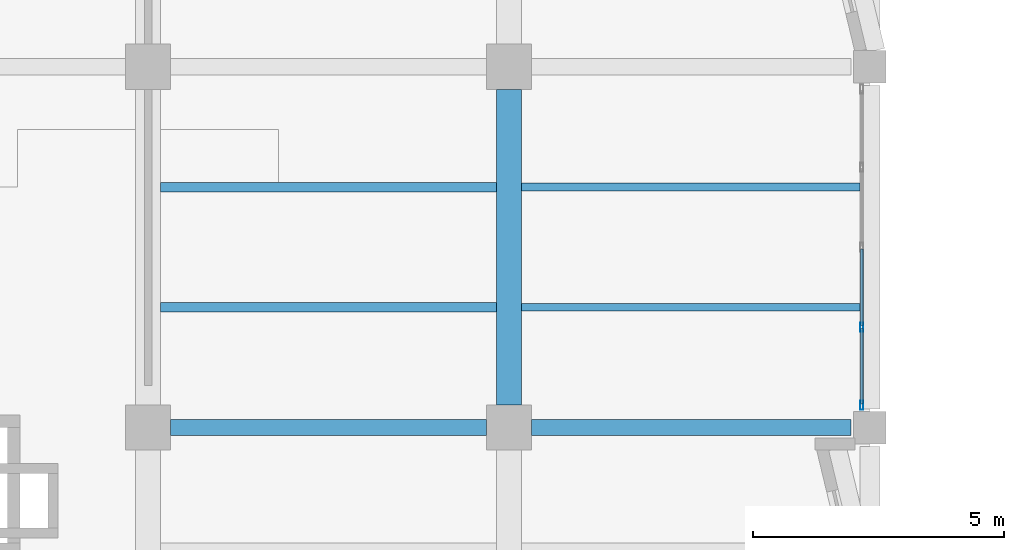
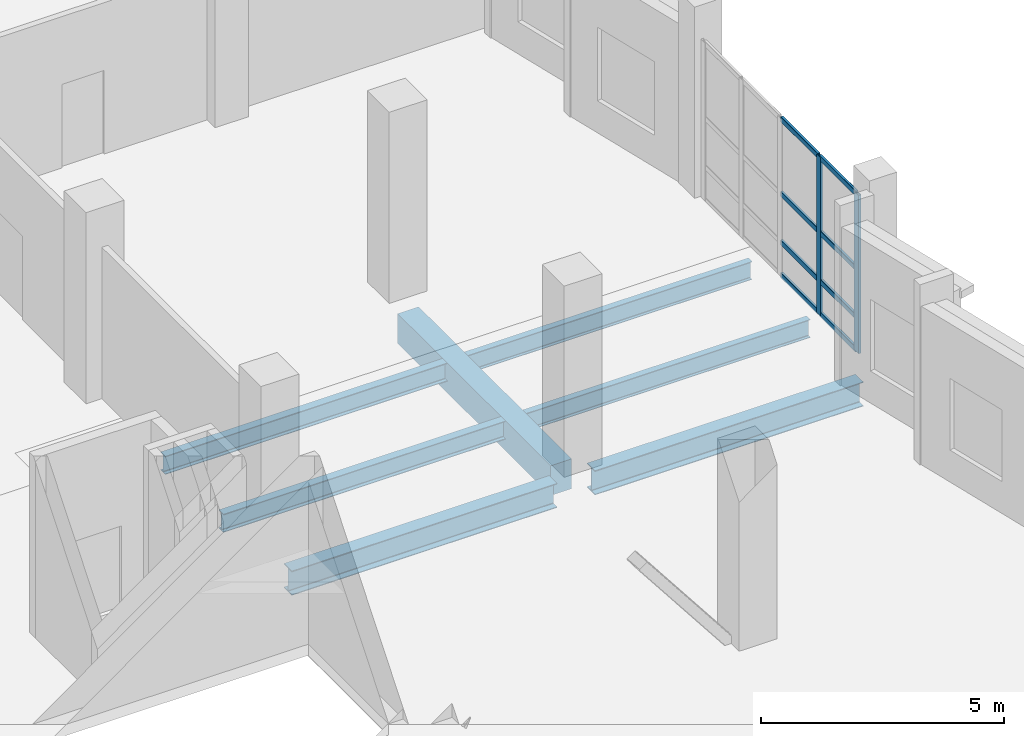
# One storey, part 19 of 127: 10 members, 7 beams, 1 element without a shape of its own.
"""IFC4 building model written with IfcOpenShell, lengths in metres."""

from ifc_helpers import new_model, si_unit, direction, frame, origin, origin_2d, place, context, subcontext, project, spatial, rectangle, hollow_rectangle, i_section, extrude, material, material_profile, profile_set, type_object, element, aggregate, save


model = new_model("IFC4")

# Units and contexts
model_context = context("Model", 3, precision=1e-05, world=origin(), true_north=direction((0.0, 1.0)))
body_context = subcontext(model_context, "Body", "Model", "MODEL_VIEW")
ifc_project = project(units=[si_unit("LENGTHUNIT", "METRE"), si_unit("AREAUNIT", "SQUARE_METRE"), si_unit("VOLUMEUNIT", "CUBIC_METRE"), si_unit("PLANEANGLEUNIT", "RADIAN"), si_unit("MASSUNIT", "GRAM", prefix="KILO")], contexts=[model_context])

# Site, building, storey
site_placement = place(None, origin())
site = spatial("IfcSite", under=ifc_project, at=site_placement, CompositionType="ELEMENT")
building_placement = place(site_placement, origin())
building = spatial("IfcBuilding", under=site, at=building_placement, Name="Kalmorath City Hall", CompositionType="ELEMENT")
storey_placement = place(building_placement, frame((0.0, 0.0, 5.39990234375)))
storey = spatial("IfcBuildingStorey", under=building, at=storey_placement, Name="L01", CompositionType="ELEMENT", Elevation=5.39990234375)

# Beam
ifc_material_1 = material(Name="Concrete C40/50", Category="concrete")
ifc_material_profile_1 = material_profile(ifc_material_1, rectangle(XDim=0.5, YDim=0.75, at=origin_2d()), Name="RC-BM-500X750")
ifc_profile_set_1 = profile_set([ifc_material_profile_1], Name="Concrete C40/50")
beam_type_1 = type_object("IfcBeamType", Name="Concrete floor beam 500x750", PredefinedType="BEAM", material=ifc_profile_set_1)
beam_1_placement = place(storey_placement, frame((21.60009765625, 58.050048828125, -0.698974609375), z_axis=(0.0, 1.0, 0.0), x_axis=(-1.0, 0.0, 0.0)))
element("IfcBeam", 1, at=beam_1_placement, inside=storey, type_object=beam_type_1, Name="L01 girder CB3 Y4/9-10", PredefinedType="BEAM", context=body_context, shape_type="SweptSolid", body=[
    extrude(rectangle(XDim=0.5, YDim=0.75, at=origin_2d()), origin(), (0.0, 0.0, 1.0), 6.300048828125),
])

# Curtain wall, members
ifc_material_2 = material(Name="Anodised aluminium and laminated glass", Category="aluminium")
curtain_wall_type = type_object("IfcCurtainWallType", Name="Unitised hurricane curtain wall 6370x3976 M1750", PredefinedType="NOTDEFINED", material=ifc_material_2)
curtain_wall_placement = place(storey_placement, origin())
curtain_wall = element("IfcCurtainWall", 2, at=curtain_wall_placement, inside=storey, type_object=curtain_wall_type, Name="L01 curtain wall CW-64X40M18 #110", PredefinedType="NOTDEFINED")
ifc_material_3 = material(Name="Anodised aluminium framing", Category="aluminium")
ifc_material_profile_2 = material_profile(ifc_material_3, hollow_rectangle(XDim=0.06494140625, YDim=0.179931640625, WallThickness=0.00390625, InnerFilletRadius=0.00390625, OuterFilletRadius=0.008056640625, at=origin_2d()), Name="ALU-MUL-180X65X4")
ifc_profile_set_2 = profile_set([ifc_material_profile_2], Name="Anodised aluminium framing")
member_type_1 = type_object("IfcMemberType", Name="Curtain-wall courtyard mullion 180x65", PredefinedType="MULLION", material=ifc_profile_set_2)
member_1_placement = place(storey_placement, frame((28.639892578125, 59.607421875, 0.0), z_axis=(0.0, 0.0, 1.0), x_axis=(1.0, 0.0, 0.0)))
member_1 = element("IfcMember", 3, at=member_1_placement, type_object=member_type_1, Name="CW-64X40M18 mullion 4", PredefinedType="MULLION", context=body_context, shape_type="SweptSolid", body=[
    extrude(hollow_rectangle(XDim=0.06494140625, YDim=0.179931640625, WallThickness=0.00390625, InnerFilletRadius=0.00390625, OuterFilletRadius=0.008056640625, at=origin_2d()), origin(), (0.0, 0.0, 1.0), 3.97607421875),
])
member_2_placement = place(storey_placement, frame((28.639892578125, 58.047607421875, 0.0), z_axis=(0.0, 0.0, 1.0), x_axis=(1.0, 0.0, 0.0)))
member_2 = element("IfcMember", 4, at=member_2_placement, type_object=member_type_1, Name="CW-64X40M18 mullion 5", PredefinedType="MULLION", context=body_context, shape_type="SweptSolid", body=[
    extrude(hollow_rectangle(XDim=0.06494140625, YDim=0.179931640625, WallThickness=0.00390625, InnerFilletRadius=0.00390625, OuterFilletRadius=0.008056640625, at=origin_2d()), origin(), (0.0, 0.0, 1.0), 3.97607421875),
])
ifc_material_4 = material(Name="Anodised aluminium framing", Category="aluminium")
ifc_material_profile_3 = material_profile(ifc_material_4, hollow_rectangle(XDim=0.06005859375, YDim=0.1298828125, WallThickness=0.00341796875, InnerFilletRadius=0.00341796875, OuterFilletRadius=0.007080078125, at=origin_2d()), Name="ALU-TRN-130X60X3.5")
ifc_profile_set_3 = profile_set([ifc_material_profile_3], Name="Anodised aluminium framing")
member_type_2 = type_object("IfcMemberType", Name="Curtain-wall courtyard transom 130x60", PredefinedType="USERDEFINED", material=ifc_profile_set_3)
member_3_placement = place(storey_placement, frame((28.639892578125, 61.16748046875, 0.030029296875), z_axis=(0.0, -1.0, 0.0), x_axis=(1.0, 0.0, 0.0)))
member_3 = element("IfcMember", 5, at=member_3_placement, type_object=member_type_2, Name="CW-64X40M18 transom 3.1", ObjectType="TRANSOM", PredefinedType="USERDEFINED", context=body_context, shape_type="SweptSolid", body=[
    extrude(hollow_rectangle(XDim=0.06005859375, YDim=0.1298828125, WallThickness=0.00341796875, InnerFilletRadius=0.00341796875, OuterFilletRadius=0.007080078125, at=origin_2d()), origin(), (0.0, 0.0, 1.0), 1.527587890625),
])
member_4_placement = place(storey_placement, frame((28.639892578125, 61.16748046875, 0.85009765625), z_axis=(0.0, -1.0, 0.0), x_axis=(1.0, 0.0, 0.0)))
member_4 = element("IfcMember", 6, at=member_4_placement, type_object=member_type_2, Name="CW-64X40M18 transom 3.2", ObjectType="TRANSOM", PredefinedType="USERDEFINED", context=body_context, shape_type="SweptSolid", body=[
    extrude(hollow_rectangle(XDim=0.06005859375, YDim=0.1298828125, WallThickness=0.00341796875, InnerFilletRadius=0.00341796875, OuterFilletRadius=0.007080078125, at=origin_2d()), origin(), (0.0, 0.0, 1.0), 1.527587890625),
])
member_5_placement = place(storey_placement, frame((28.639892578125, 61.16748046875, 2.068115234375), z_axis=(0.0, -1.0, 0.0), x_axis=(1.0, 0.0, 0.0)))
member_5 = element("IfcMember", 7, at=member_5_placement, type_object=member_type_2, Name="CW-64X40M18 transom 3.3", ObjectType="TRANSOM", PredefinedType="USERDEFINED", context=body_context, shape_type="SweptSolid", body=[
    extrude(hollow_rectangle(XDim=0.06005859375, YDim=0.1298828125, WallThickness=0.00341796875, InnerFilletRadius=0.00341796875, OuterFilletRadius=0.007080078125, at=origin_2d()), origin(), (0.0, 0.0, 1.0), 1.527587890625),
])
member_6_placement = place(storey_placement, frame((28.639892578125, 61.16748046875, 3.946044921875), z_axis=(0.0, -1.0, 0.0), x_axis=(1.0, 0.0, 0.0)))
member_6 = element("IfcMember", 8, at=member_6_placement, type_object=member_type_2, Name="CW-64X40M18 transom 3.4", ObjectType="TRANSOM", PredefinedType="USERDEFINED", context=body_context, shape_type="SweptSolid", body=[
    extrude(hollow_rectangle(XDim=0.06005859375, YDim=0.1298828125, WallThickness=0.00341796875, InnerFilletRadius=0.00341796875, OuterFilletRadius=0.007080078125, at=origin_2d()), origin(), (0.0, 0.0, 1.0), 1.527587890625),
])
member_7_placement = place(storey_placement, frame((28.639892578125, 59.574951171875, 0.030029296875), z_axis=(0.0, -1.0, 0.0), x_axis=(1.0, 0.0, 0.0)))
member_7 = element("IfcMember", 9, at=member_7_placement, type_object=member_type_2, Name="CW-64X40M18 transom 4.1", ObjectType="TRANSOM", PredefinedType="USERDEFINED", context=body_context, shape_type="SweptSolid", body=[
    extrude(hollow_rectangle(XDim=0.06005859375, YDim=0.1298828125, WallThickness=0.00341796875, InnerFilletRadius=0.00341796875, OuterFilletRadius=0.007080078125, at=origin_2d()), origin(), (0.0, 0.0, 1.0), 1.494873046875),
])
member_8_placement = place(storey_placement, frame((28.639892578125, 59.574951171875, 0.85009765625), z_axis=(0.0, -1.0, 0.0), x_axis=(1.0, 0.0, 0.0)))
member_8 = element("IfcMember", 10, at=member_8_placement, type_object=member_type_2, Name="CW-64X40M18 transom 4.2", ObjectType="TRANSOM", PredefinedType="USERDEFINED", context=body_context, shape_type="SweptSolid", body=[
    extrude(hollow_rectangle(XDim=0.06005859375, YDim=0.1298828125, WallThickness=0.00341796875, InnerFilletRadius=0.00341796875, OuterFilletRadius=0.007080078125, at=origin_2d()), origin(), (0.0, 0.0, 1.0), 1.494873046875),
])
member_9_placement = place(storey_placement, frame((28.639892578125, 59.574951171875, 2.068115234375), z_axis=(0.0, -1.0, 0.0), x_axis=(1.0, 0.0, 0.0)))
member_9 = element("IfcMember", 11, at=member_9_placement, type_object=member_type_2, Name="CW-64X40M18 transom 4.3", ObjectType="TRANSOM", PredefinedType="USERDEFINED", context=body_context, shape_type="SweptSolid", body=[
    extrude(hollow_rectangle(XDim=0.06005859375, YDim=0.1298828125, WallThickness=0.00341796875, InnerFilletRadius=0.00341796875, OuterFilletRadius=0.007080078125, at=origin_2d()), origin(), (0.0, 0.0, 1.0), 1.494873046875),
])
member_10_placement = place(storey_placement, frame((28.639892578125, 59.574951171875, 3.946044921875), z_axis=(0.0, -1.0, 0.0), x_axis=(1.0, 0.0, 0.0)))
member_10 = element("IfcMember", 12, at=member_10_placement, type_object=member_type_2, Name="CW-64X40M18 transom 4.4", ObjectType="TRANSOM", PredefinedType="USERDEFINED", context=body_context, shape_type="SweptSolid", body=[
    extrude(hollow_rectangle(XDim=0.06005859375, YDim=0.1298828125, WallThickness=0.00341796875, InnerFilletRadius=0.00341796875, OuterFilletRadius=0.007080078125, at=origin_2d()), origin(), (0.0, 0.0, 1.0), 1.494873046875),
])
aggregate(curtain_wall, [member_1, member_2, member_3, member_4, member_5, member_6, member_7, member_8, member_9, member_10])

# Beams
ifc_material_5 = material(Name="Steel ASTM A992 Grade 50", Category="steel")
ifc_material_profile_4 = material_profile(ifc_material_5, i_section(OverallWidth=0.153076171875, OverallDepth=0.455078125, WebThickness=0.008056640625, FlangeThickness=0.01318359375, FilletRadius=0.013916015625, at=origin_2d()), Name="W18X40")
ifc_profile_set_4 = profile_set([ifc_material_profile_4], Name="Steel ASTM A992 Grade 50")
beam_type_2 = type_object("IfcBeamType", Name="Steel composite joist W18X40", PredefinedType="JOIST", material=ifc_profile_set_4)
for number, where, z_axis, x_axis, name in (
    (13, (21.85009765625, 60.0, -0.551513671875), (1.0, 0.0, 0.0), (0.0, 1.0, 0.0), "L01 joist SJ4 4.9.1"),
    (14, (21.85009765625, 62.39990234375, -0.551513671875), (1.0, 0.0, 0.0), (0.0, 1.0, 0.0), "L01 joist SJ4 4.9.2"),
):
    element("IfcBeam", number, at=place(storey_placement, frame(where, z_axis=z_axis, x_axis=x_axis)), inside=storey, type_object=beam_type_2, Name=name, PredefinedType="JOIST", context=body_context, shape_type="SweptSolid", body=[
        extrude(i_section(OverallWidth=0.153076171875, OverallDepth=0.455078125, WebThickness=0.008056640625, FlangeThickness=0.01318359375, FilletRadius=0.013916015625, at=origin_2d()), origin(), (0.0, 0.0, 1.0), 6.75),
    ])
ifc_material_6 = material(Name="Steel ASTM A992 Grade 50", Category="steel")
ifc_material_profile_5 = material_profile(ifc_material_6, i_section(OverallWidth=0.19091796875, OverallDepth=0.45703125, WebThickness=0.009033203125, FlangeThickness=0.014404296875, FilletRadius=0.013916015625, at=origin_2d()), Name="W18X50")
ifc_profile_set_5 = profile_set([ifc_material_profile_5], Name="Steel ASTM A992 Grade 50")
beam_type_3 = type_object("IfcBeamType", Name="Steel composite joist W18X50", PredefinedType="JOIST", material=ifc_profile_set_5)
for number, where, z_axis, x_axis, name in (
    (15, (14.64990234375, 60.0, -0.552490234375), (1.0, 0.0, 0.0), (0.0, 1.0, 0.0), "L01 joist SJ3 3.9.1"),
    (16, (14.64990234375, 62.39990234375, -0.552490234375), (1.0, 0.0, 0.0), (0.0, 1.0, 0.0), "L01 joist SJ3 3.9.2"),
):
    element("IfcBeam", number, at=place(storey_placement, frame(where, z_axis=z_axis, x_axis=x_axis)), inside=storey, type_object=beam_type_3, Name=name, PredefinedType="JOIST", context=body_context, shape_type="SweptSolid", body=[
        extrude(i_section(OverallWidth=0.19091796875, OverallDepth=0.45703125, WebThickness=0.009033203125, FlangeThickness=0.014404296875, FilletRadius=0.013916015625, at=origin_2d()), origin(), (0.0, 0.0, 1.0), 6.7001953125),
    ])
ifc_material_7 = material(Name="Steel ASTM A992 Grade 50", Category="steel")
ifc_material_profile_6 = material_profile(ifc_material_7, i_section(OverallWidth=0.323974609375, OverallDepth=0.611083984375, WebThickness=0.0126953125, FlangeThickness=0.01904296875, FilletRadius=0.01611328125, at=origin_2d()), Name="W24X104")
ifc_profile_set_6 = profile_set([ifc_material_profile_6], Name="Steel ASTM A992 Grade 50")
beam_type_4 = type_object("IfcBeamType", Name="Steel floor girder W24X104", PredefinedType="BEAM", material=ifc_profile_set_6)
beam_2_placement = place(storey_placement, frame((14.85009765625, 57.60009765625, -0.62939453125), z_axis=(1.0, 0.0, 0.0), x_axis=(0.0, 1.0, 0.0)))
element("IfcBeam", 17, at=beam_2_placement, inside=storey, type_object=beam_type_4, Name="L01 girder SG7 X3-4/9", PredefinedType="BEAM", context=body_context, shape_type="SweptSolid", body=[
    extrude(i_section(OverallWidth=0.323974609375, OverallDepth=0.611083984375, WebThickness=0.0126953125, FlangeThickness=0.01904296875, FilletRadius=0.01611328125, at=origin_2d()), origin(), (0.0, 0.0, 1.0), 6.2998046875),
])
beam_3_placement = place(storey_placement, frame((22.050048828125, 57.60009765625, -0.62939453125), z_axis=(1.0, 0.0, 0.0), x_axis=(0.0, 1.0, 0.0)))
element("IfcBeam", 18, at=beam_3_placement, inside=storey, type_object=beam_type_4, Name="L01 girder SG7 X4-5/9", PredefinedType="BEAM", context=body_context, shape_type="SweptSolid", body=[
    extrude(i_section(OverallWidth=0.323974609375, OverallDepth=0.611083984375, WebThickness=0.0126953125, FlangeThickness=0.01904296875, FilletRadius=0.01611328125, at=origin_2d()), origin(), (0.0, 0.0, 1.0), 6.375),
])

save(model, "model.ifc")
